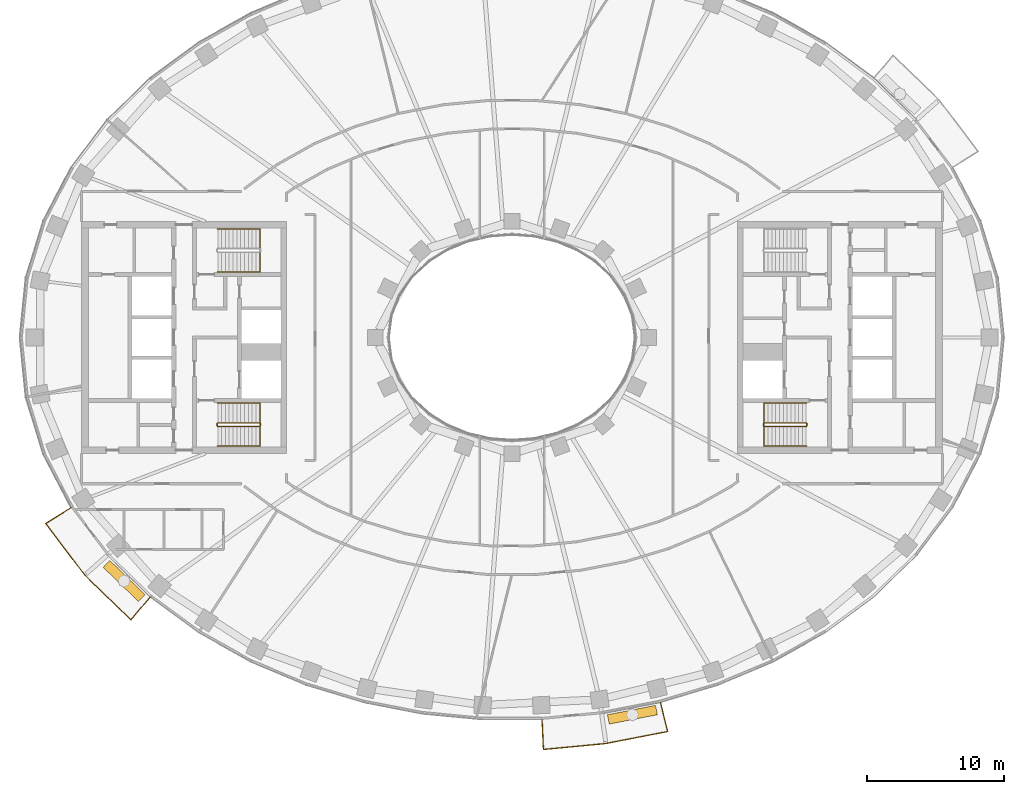
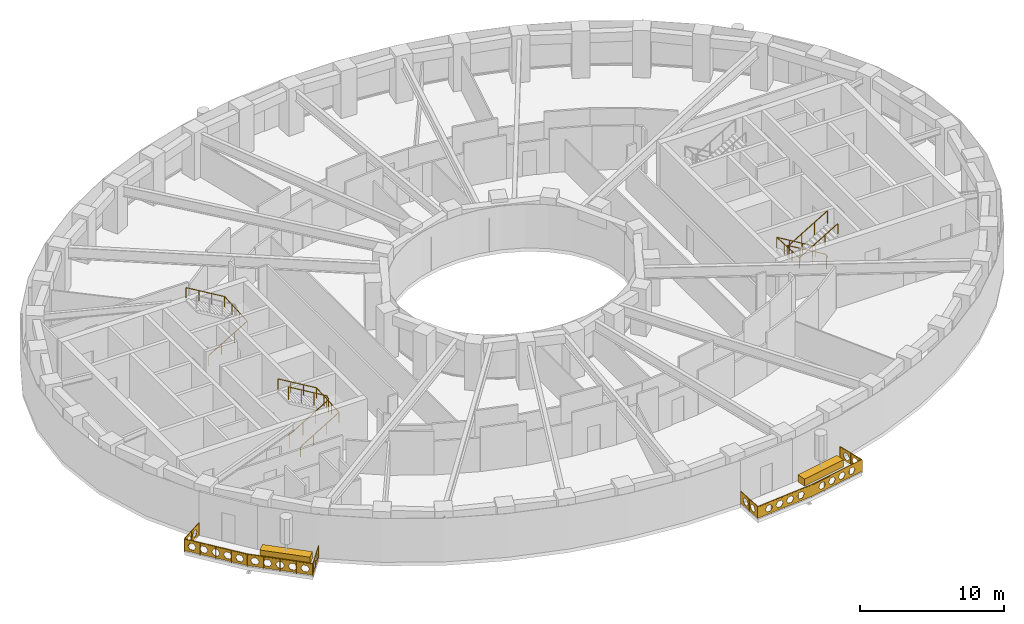
# One storey, part 14 of 16: 7 railings, 2 coverings.
"""IFC4 building model written with IfcOpenShell, lengths in metres."""

from ifc_helpers import new_model, si_unit, direction, frame, origin, origin_2d, place, context, subcontext, project, spatial, polyline, rectangle, outline, extrude, material, type_object, element, save


model = new_model("IFC4")

# Units and contexts
model_context = context("Model", 3, precision=1e-05, world=origin(), true_north=direction((0.0, 1.0)))
body_context = subcontext(model_context, "Body", "Model", "MODEL_VIEW")
ifc_project = project(units=[si_unit("LENGTHUNIT", "METRE"), si_unit("AREAUNIT", "SQUARE_METRE"), si_unit("VOLUMEUNIT", "CUBIC_METRE"), si_unit("PLANEANGLEUNIT", "RADIAN"), si_unit("MASSUNIT", "GRAM", prefix="KILO")], contexts=[model_context])

# Site, building, storey
site_placement = place(None, origin())
site = spatial("IfcSite", under=ifc_project, at=site_placement, CompositionType="ELEMENT")
building_placement = place(site_placement, origin())
building = spatial("IfcBuilding", under=site, at=building_placement, Name="Noorbagh Ring Tower", CompositionType="ELEMENT")
storey_placement = place(building_placement, frame((0.0, 0.0, 132.0)))
storey = spatial("IfcBuildingStorey", under=building, at=storey_placement, Name="L30", CompositionType="ELEMENT", Elevation=132.0)

# Railings
ifc_material_1 = material(Name="Stainless steel", Category="steel")
railing_type_1 = type_object("IfcRailingType", Name="CORE-STAIR-GUARD", PredefinedType="GUARDRAIL", material=ifc_material_1)
railing_1_placement = place(storey_placement, frame((-21.580078125, -6.449951171875, 0.0)))
element("IfcRailing", 1, at=railing_1_placement, inside=storey, type_object=railing_type_1, Name="L30 ST2 stair guard", PredefinedType="GUARDRAIL", context=body_context, shape_type="SweptSolid", body=[
    extrude(rectangle(XDim=0.048095703125, YDim=0.048095703125, at=origin_2d()), frame((0.0, 0.0, 1.076171875), z_axis=(0.0, 1.0, 0.0), x_axis=(-1.0, 0.0, 0.0)), (0.0, 0.0, 1.0), 0.14990234375),
    extrude(rectangle(XDim=0.048095703125, YDim=0.048095703125, at=origin_2d()), frame((0.0, 0.14990234375, 1.076171875), z_axis=(0.188775798145, -0.754182335027, 0.628945707965), x_axis=(0.970072785993, 0.242814311512, 0.0)), (0.0, 0.0, 1.0), 0.26513671875),
    extrude(rectangle(XDim=0.048095703125, YDim=0.048095703125, at=origin_2d()), frame((0.050048828125, -0.050048828125, 1.24267578125), z_axis=(0.859308565015, 0.0, 0.511457515432), x_axis=(0.0, 1.0, 0.0)), (0.0, 0.0, 1.0), 3.58447265625),
    extrude(rectangle(XDim=0.048095703125, YDim=0.048095703125, at=origin_2d()), frame((3.130126953125, -0.050048828125, 3.076171875), z_axis=(0.707106781187, 0.707106781187, 0.0), x_axis=(-0.707106781187, 0.707106781187, 0.0)), (0.0, 0.0, 1.0), 0.07080078125),
    extrude(rectangle(XDim=0.048095703125, YDim=0.048095703125, at=origin_2d()), frame((3.18017578125, 0.0, 3.076171875), z_axis=(0.0, 1.0, 0.0), x_axis=(-1.0, 0.0, 0.0)), (0.0, 0.0, 1.0), 0.14990234375),
    extrude(rectangle(XDim=0.048095703125, YDim=0.048095703125, at=origin_2d()), frame((3.18017578125, 0.14990234375, 3.076171875), z_axis=(-0.27628659633, 0.27628659633, 0.920506074601), x_axis=(-0.707106781187, -0.707106781187, 0.0)), (0.0, 0.0, 1.0), 0.18115234375),
    extrude(rectangle(XDim=0.048095703125, YDim=0.048095703125, at=origin_2d()), frame((3.130126953125, 0.199951171875, 3.24267578125), z_axis=(-0.859308565015, 0.0, 0.511457515432), x_axis=(0.0, -1.0, 0.0)), (0.0, 0.0, 1.0), 3.58447265625),
    extrude(rectangle(XDim=0.0419921875, YDim=0.0419921875, at=origin_2d()), origin(), (0.0, 0.0, 1.0), 1.052001953125),
    extrude(rectangle(XDim=0.0419921875, YDim=0.0419921875, at=origin_2d()), frame((1.07666015625, -0.050048828125, 0.77783203125)), (0.0, 0.0, 1.0), 1.052001953125),
    extrude(rectangle(XDim=0.0419921875, YDim=0.0419921875, at=origin_2d()), frame((2.103515625, -0.050048828125, 1.388916015625)), (0.0, 0.0, 1.0), 1.052001953125),
    extrude(rectangle(XDim=0.0419921875, YDim=0.0419921875, at=origin_2d()), frame((3.130126953125, -0.050048828125, 2.0)), (0.0, 0.0, 1.0), 1.052001953125),
    extrude(rectangle(XDim=0.0419921875, YDim=0.0419921875, at=origin_2d()), frame((3.130126953125, 0.199951171875, 2.166748046875)), (0.0, 0.0, 1.0), 1.052001953125),
    extrude(rectangle(XDim=0.0419921875, YDim=0.0419921875, at=origin_2d()), frame((2.103515625, 0.199951171875, 2.77783203125)), (0.0, 0.0, 1.0), 1.052001953125),
    extrude(rectangle(XDim=0.0419921875, YDim=0.0419921875, at=origin_2d()), frame((1.07666015625, 0.199951171875, 3.388916015625)), (0.0, 0.0, 1.0), 1.052001953125),
    extrude(rectangle(XDim=0.0419921875, YDim=0.0419921875, at=origin_2d()), frame((0.050048828125, 0.199951171875, 4.0)), (0.0, 0.0, 1.0), 1.052001953125),
])
railing_2_placement = place(storey_placement, frame((21.580078125, -6.300048828125, 0.0)))
element("IfcRailing", 2, at=railing_2_placement, inside=storey, type_object=railing_type_1, Name="L30 ST4 stair guard", PredefinedType="GUARDRAIL", context=body_context, shape_type="SweptSolid", body=[
    extrude(rectangle(XDim=0.048095703125, YDim=0.048095703125, at=origin_2d()), frame((0.0, 0.0, 1.076171875), z_axis=(0.0, -1.0, 0.0), x_axis=(1.0, 0.0, 0.0)), (0.0, 0.0, 1.0), 0.14990234375),
    extrude(rectangle(XDim=0.048095703125, YDim=0.048095703125, at=origin_2d()), frame((0.0, -0.14990234375, 1.076171875), z_axis=(-0.188775798145, 0.754182335027, 0.628945707965), x_axis=(-0.970072785993, -0.242814311512, 0.0)), (0.0, 0.0, 1.0), 0.26513671875),
    extrude(rectangle(XDim=0.048095703125, YDim=0.048095703125, at=origin_2d()), frame((-0.050048828125, 0.050048828125, 1.24267578125), z_axis=(-0.859308565015, 0.0, 0.511457515432), x_axis=(0.0, -1.0, 0.0)), (0.0, 0.0, 1.0), 3.58447265625),
    extrude(rectangle(XDim=0.048095703125, YDim=0.048095703125, at=origin_2d()), frame((-3.130126953125, 0.050048828125, 3.076171875), z_axis=(-0.707106781187, -0.707106781187, 0.0), x_axis=(0.707106781187, -0.707106781187, 0.0)), (0.0, 0.0, 1.0), 0.07080078125),
    extrude(rectangle(XDim=0.048095703125, YDim=0.048095703125, at=origin_2d()), frame((-3.18017578125, 0.0, 3.076171875), z_axis=(0.0, -1.0, 0.0), x_axis=(1.0, 0.0, 0.0)), (0.0, 0.0, 1.0), 0.14990234375),
    extrude(rectangle(XDim=0.048095703125, YDim=0.048095703125, at=origin_2d()), frame((-3.18017578125, -0.14990234375, 3.076171875), z_axis=(0.27628659633, -0.27628659633, 0.920506074601), x_axis=(0.707106781187, 0.707106781187, 0.0)), (0.0, 0.0, 1.0), 0.18115234375),
    extrude(rectangle(XDim=0.048095703125, YDim=0.048095703125, at=origin_2d()), frame((-3.130126953125, -0.199951171875, 3.24267578125), z_axis=(0.859308565015, 0.0, 0.511457515432), x_axis=(0.0, 1.0, 0.0)), (0.0, 0.0, 1.0), 3.58447265625),
    extrude(rectangle(XDim=0.0419921875, YDim=0.0419921875, at=origin_2d()), origin(), (0.0, 0.0, 1.0), 1.052001953125),
    extrude(rectangle(XDim=0.0419921875, YDim=0.0419921875, at=origin_2d()), frame((-1.07666015625, 0.050048828125, 0.77783203125)), (0.0, 0.0, 1.0), 1.052001953125),
    extrude(rectangle(XDim=0.0419921875, YDim=0.0419921875, at=origin_2d()), frame((-2.103515625, 0.050048828125, 1.388916015625)), (0.0, 0.0, 1.0), 1.052001953125),
    extrude(rectangle(XDim=0.0419921875, YDim=0.0419921875, at=origin_2d()), frame((-3.130126953125, 0.050048828125, 2.0)), (0.0, 0.0, 1.0), 1.052001953125),
    extrude(rectangle(XDim=0.0419921875, YDim=0.0419921875, at=origin_2d()), frame((-3.130126953125, -0.199951171875, 2.166748046875)), (0.0, 0.0, 1.0), 1.052001953125),
    extrude(rectangle(XDim=0.0419921875, YDim=0.0419921875, at=origin_2d()), frame((-2.103515625, -0.199951171875, 2.77783203125)), (0.0, 0.0, 1.0), 1.052001953125),
    extrude(rectangle(XDim=0.0419921875, YDim=0.0419921875, at=origin_2d()), frame((-1.07666015625, -0.199951171875, 3.388916015625)), (0.0, 0.0, 1.0), 1.052001953125),
    extrude(rectangle(XDim=0.0419921875, YDim=0.0419921875, at=origin_2d()), frame((-0.050048828125, -0.199951171875, 4.0)), (0.0, 0.0, 1.0), 1.052001953125),
])
ifc_material_2 = material(Name="Stainless steel", Category="steel")
railing_type_2 = type_object("IfcRailingType", Name="CORE-STAIR-HANDRAIL", PredefinedType="HANDRAIL", material=ifc_material_2)
railing_3_placement = place(storey_placement, frame((-21.530029296875, 4.800048828125, 0.166748046875)))
element("IfcRailing", 3, at=railing_3_placement, inside=storey, type_object=railing_type_2, Name="L30 ST1 stair handrail", PredefinedType="HANDRAIL", context=body_context, shape_type="SweptSolid", body=[
    extrude(rectangle(XDim=0.048095703125, YDim=0.048095703125, at=origin_2d()), frame((0.0, 0.0, 0.8759765625), z_axis=(0.859308565015, 0.0, 0.511457515432), x_axis=(0.0, 1.0, 0.0)), (0.0, 0.0, 1.0), 3.58447265625),
    extrude(rectangle(XDim=0.048095703125, YDim=0.048095703125, at=origin_2d()), frame((3.080078125, 0.0, 2.708984375), z_axis=(0.0, 0.998601747152, 0.052863509014), x_axis=(-1.0, 0.0, 0.0)), (0.0, 0.0, 1.0), 3.154296875),
    extrude(rectangle(XDim=0.048095703125, YDim=0.048095703125, at=origin_2d()), frame((3.080078125, 3.14990234375, 2.8759765625), z_axis=(-0.859308565015, 0.0, 0.511457515432), x_axis=(0.0, -1.0, 0.0)), (0.0, 0.0, 1.0), 3.58447265625),
    extrude(rectangle(XDim=0.0419921875, YDim=0.0419921875, at=origin_2d()), origin(), (0.0, 0.0, 1.0), 0.851806640625),
    extrude(rectangle(XDim=0.0419921875, YDim=0.0419921875, at=origin_2d()), frame((1.026611328125, 0.0, 0.611083984375)), (0.0, 0.0, 1.0), 0.851806640625),
    extrude(rectangle(XDim=0.0419921875, YDim=0.0419921875, at=origin_2d()), frame((2.053466796875, 0.0, 1.22216796875)), (0.0, 0.0, 1.0), 0.851806640625),
    extrude(rectangle(XDim=0.0419921875, YDim=0.0419921875, at=origin_2d()), frame((3.080078125, 0.0, 1.833251953125)), (0.0, 0.0, 1.0), 0.851806640625),
    extrude(rectangle(XDim=0.0419921875, YDim=0.0419921875, at=origin_2d()), frame((3.080078125, 1.050048828125, 1.888916015625)), (0.0, 0.0, 1.0), 0.851806640625),
    extrude(rectangle(XDim=0.0419921875, YDim=0.0419921875, at=origin_2d()), frame((3.080078125, 2.099853515625, 1.9443359375)), (0.0, 0.0, 1.0), 0.851806640625),
    extrude(rectangle(XDim=0.0419921875, YDim=0.0419921875, at=origin_2d()), frame((3.080078125, 3.14990234375, 2.0)), (0.0, 0.0, 1.0), 0.851806640625),
    extrude(rectangle(XDim=0.0419921875, YDim=0.0419921875, at=origin_2d()), frame((2.053466796875, 3.14990234375, 2.611083984375)), (0.0, 0.0, 1.0), 0.851806640625),
    extrude(rectangle(XDim=0.0419921875, YDim=0.0419921875, at=origin_2d()), frame((1.026611328125, 3.14990234375, 3.22216796875)), (0.0, 0.0, 1.0), 0.851806640625),
    extrude(rectangle(XDim=0.0419921875, YDim=0.0419921875, at=origin_2d()), frame((0.0, 3.14990234375, 3.833251953125)), (0.0, 0.0, 1.0), 0.851806640625),
])
railing_4_placement = place(storey_placement, frame((-21.530029296875, -7.949951171875, 0.166748046875)))
element("IfcRailing", 4, at=railing_4_placement, inside=storey, type_object=railing_type_2, Name="L30 ST2 stair handrail", PredefinedType="HANDRAIL", context=body_context, shape_type="SweptSolid", body=[
    extrude(rectangle(XDim=0.048095703125, YDim=0.048095703125, at=origin_2d()), frame((0.0, 0.0, 0.8759765625), z_axis=(0.859308565015, 0.0, 0.511457515432), x_axis=(0.0, 1.0, 0.0)), (0.0, 0.0, 1.0), 3.58447265625),
    extrude(rectangle(XDim=0.048095703125, YDim=0.048095703125, at=origin_2d()), frame((3.080078125, 0.0, 2.708984375), z_axis=(0.0, 0.998601747152, 0.052863509014), x_axis=(-1.0, 0.0, 0.0)), (0.0, 0.0, 1.0), 3.154296875),
    extrude(rectangle(XDim=0.048095703125, YDim=0.048095703125, at=origin_2d()), frame((3.080078125, 3.14990234375, 2.8759765625), z_axis=(-0.859308565015, 0.0, 0.511457515432), x_axis=(0.0, -1.0, 0.0)), (0.0, 0.0, 1.0), 3.58447265625),
    extrude(rectangle(XDim=0.0419921875, YDim=0.0419921875, at=origin_2d()), origin(), (0.0, 0.0, 1.0), 0.851806640625),
    extrude(rectangle(XDim=0.0419921875, YDim=0.0419921875, at=origin_2d()), frame((1.026611328125, 0.0, 0.611083984375)), (0.0, 0.0, 1.0), 0.851806640625),
    extrude(rectangle(XDim=0.0419921875, YDim=0.0419921875, at=origin_2d()), frame((2.053466796875, 0.0, 1.22216796875)), (0.0, 0.0, 1.0), 0.851806640625),
    extrude(rectangle(XDim=0.0419921875, YDim=0.0419921875, at=origin_2d()), frame((3.080078125, 0.0, 1.833251953125)), (0.0, 0.0, 1.0), 0.851806640625),
    extrude(rectangle(XDim=0.0419921875, YDim=0.0419921875, at=origin_2d()), frame((3.080078125, 1.050048828125, 1.888916015625)), (0.0, 0.0, 1.0), 0.851806640625),
    extrude(rectangle(XDim=0.0419921875, YDim=0.0419921875, at=origin_2d()), frame((3.080078125, 2.099853515625, 1.9443359375)), (0.0, 0.0, 1.0), 0.851806640625),
    extrude(rectangle(XDim=0.0419921875, YDim=0.0419921875, at=origin_2d()), frame((3.080078125, 3.14990234375, 2.0)), (0.0, 0.0, 1.0), 0.851806640625),
    extrude(rectangle(XDim=0.0419921875, YDim=0.0419921875, at=origin_2d()), frame((2.053466796875, 3.14990234375, 2.611083984375)), (0.0, 0.0, 1.0), 0.851806640625),
    extrude(rectangle(XDim=0.0419921875, YDim=0.0419921875, at=origin_2d()), frame((1.026611328125, 3.14990234375, 3.22216796875)), (0.0, 0.0, 1.0), 0.851806640625),
    extrude(rectangle(XDim=0.0419921875, YDim=0.0419921875, at=origin_2d()), frame((0.0, 3.14990234375, 3.833251953125)), (0.0, 0.0, 1.0), 0.851806640625),
])
railing_5_placement = place(storey_placement, frame((21.530029296875, -4.800048828125, 0.166748046875)))
element("IfcRailing", 5, at=railing_5_placement, inside=storey, type_object=railing_type_2, Name="L30 ST4 stair handrail", PredefinedType="HANDRAIL", context=body_context, shape_type="SweptSolid", body=[
    extrude(rectangle(XDim=0.048095703125, YDim=0.048095703125, at=origin_2d()), frame((0.0, 0.0, 0.8759765625), z_axis=(-0.859308565015, 0.0, 0.511457515432), x_axis=(0.0, -1.0, 0.0)), (0.0, 0.0, 1.0), 3.58447265625),
    extrude(rectangle(XDim=0.048095703125, YDim=0.048095703125, at=origin_2d()), frame((-3.080078125, 0.0, 2.708984375), z_axis=(0.0, -0.998601747152, 0.052863509014), x_axis=(1.0, 0.0, 0.0)), (0.0, 0.0, 1.0), 3.154296875),
    extrude(rectangle(XDim=0.048095703125, YDim=0.048095703125, at=origin_2d()), frame((-3.080078125, -3.14990234375, 2.8759765625), z_axis=(0.859308565015, 0.0, 0.511457515432), x_axis=(0.0, 1.0, 0.0)), (0.0, 0.0, 1.0), 3.58447265625),
    extrude(rectangle(XDim=0.0419921875, YDim=0.0419921875, at=origin_2d()), origin(), (0.0, 0.0, 1.0), 0.851806640625),
    extrude(rectangle(XDim=0.0419921875, YDim=0.0419921875, at=origin_2d()), frame((-1.026611328125, 0.0, 0.611083984375)), (0.0, 0.0, 1.0), 0.851806640625),
    extrude(rectangle(XDim=0.0419921875, YDim=0.0419921875, at=origin_2d()), frame((-2.053466796875, 0.0, 1.22216796875)), (0.0, 0.0, 1.0), 0.851806640625),
    extrude(rectangle(XDim=0.0419921875, YDim=0.0419921875, at=origin_2d()), frame((-3.080078125, 0.0, 1.833251953125)), (0.0, 0.0, 1.0), 0.851806640625),
    extrude(rectangle(XDim=0.0419921875, YDim=0.0419921875, at=origin_2d()), frame((-3.080078125, -1.050048828125, 1.888916015625)), (0.0, 0.0, 1.0), 0.851806640625),
    extrude(rectangle(XDim=0.0419921875, YDim=0.0419921875, at=origin_2d()), frame((-3.080078125, -2.099853515625, 1.9443359375)), (0.0, 0.0, 1.0), 0.851806640625),
    extrude(rectangle(XDim=0.0419921875, YDim=0.0419921875, at=origin_2d()), frame((-3.080078125, -3.14990234375, 2.0)), (0.0, 0.0, 1.0), 0.851806640625),
    extrude(rectangle(XDim=0.0419921875, YDim=0.0419921875, at=origin_2d()), frame((-2.053466796875, -3.14990234375, 2.611083984375)), (0.0, 0.0, 1.0), 0.851806640625),
    extrude(rectangle(XDim=0.0419921875, YDim=0.0419921875, at=origin_2d()), frame((-1.026611328125, -3.14990234375, 3.22216796875)), (0.0, 0.0, 1.0), 0.851806640625),
    extrude(rectangle(XDim=0.0419921875, YDim=0.0419921875, at=origin_2d()), frame((0.0, -3.14990234375, 3.833251953125)), (0.0, 0.0, 1.0), 0.851806640625),
])
ifc_material_3 = material(Name="Steel S275 black powder-coated", Category="steel")
railing_type_3 = type_object("IfcRailingType", Name="ENV-GUARD", PredefinedType="GUARDRAIL", material=ifc_material_3)
railing_6_placement = place(storey_placement, frame((-32.255126953125, -12.434814453125, 0.0)))
element("IfcRailing", 6, at=railing_6_placement, inside=storey, type_object=railing_type_3, Name="Balcony guard BS01", PredefinedType="GUARDRAIL", context=body_context, shape_type="SweptSolid", body=[
    extrude(rectangle(XDim=0.048095703125, YDim=0.048095703125, at=origin_2d()), frame((0.0, 0.0, 1.076171875), z_axis=(-0.844852397829, -0.534999463442, 0.0), x_axis=(0.534999463442, -0.844852397829, 0.0)), (0.0, 0.0, 1.0), 2.207763671875),
    extrude(rectangle(XDim=0.048095703125, YDim=0.048095703125, at=origin_2d()), frame((-1.865234375, -1.18115234375, 1.076171875), z_axis=(0.604001613322, -0.796983093362, 0.0), x_axis=(0.796983093362, 0.604001613322, 0.0)), (0.0, 0.0, 1.0), 4.7353515625),
    extrude(rectangle(XDim=0.048095703125, YDim=0.048095703125, at=origin_2d()), frame((0.994873046875, -4.955078125, 1.076171875), z_axis=(0.717212632946, -0.696854388766, 0.0), x_axis=(0.696854388766, 0.717212632946, 0.0)), (0.0, 0.0, 1.0), 4.700927734375),
    extrude(rectangle(XDim=0.048095703125, YDim=0.048095703125, at=origin_2d()), frame((4.366455078125, -8.23095703125, 1.076171875), z_axis=(0.646413574048, 0.762987215677, 0.0), x_axis=(-0.762987215677, 0.646413574048, 0.0)), (0.0, 0.0, 1.0), 2.205322265625),
    extrude(rectangle(XDim=0.0419921875, YDim=0.0419921875, at=origin_2d()), origin(), (0.0, 0.0, 1.0), 1.052001953125),
    extrude(rectangle(XDim=0.0419921875, YDim=0.0419921875, at=origin_2d()), frame((-0.9326171875, -0.590576171875, 0.0)), (0.0, 0.0, 1.0), 1.052001953125),
    extrude(rectangle(XDim=0.0419921875, YDim=0.0419921875, at=origin_2d()), frame((-1.865234375, -1.18115234375, 0.0)), (0.0, 0.0, 1.0), 1.052001953125),
    extrude(rectangle(XDim=0.0419921875, YDim=0.0419921875, at=origin_2d()), frame((-1.150146484375, -2.12451171875, 0.0)), (0.0, 0.0, 1.0), 1.052001953125),
    extrude(rectangle(XDim=0.0419921875, YDim=0.0419921875, at=origin_2d()), frame((-0.43505859375, -3.068115234375, 0.0)), (0.0, 0.0, 1.0), 1.052001953125),
    extrude(rectangle(XDim=0.0419921875, YDim=0.0419921875, at=origin_2d()), frame((0.27978515625, -4.01171875, 0.0)), (0.0, 0.0, 1.0), 1.052001953125),
    extrude(rectangle(XDim=0.0419921875, YDim=0.0419921875, at=origin_2d()), frame((0.994873046875, -4.955078125, 0.0)), (0.0, 0.0, 1.0), 1.052001953125),
    extrude(rectangle(XDim=0.0419921875, YDim=0.0419921875, at=origin_2d()), frame((1.837890625, -5.77392578125, 0.0)), (0.0, 0.0, 1.0), 1.052001953125),
    extrude(rectangle(XDim=0.0419921875, YDim=0.0419921875, at=origin_2d()), frame((2.6806640625, -6.593017578125, 0.0)), (0.0, 0.0, 1.0), 1.052001953125),
    extrude(rectangle(XDim=0.0419921875, YDim=0.0419921875, at=origin_2d()), frame((3.5234375, -7.412109375, 0.0)), (0.0, 0.0, 1.0), 1.052001953125),
    extrude(rectangle(XDim=0.0419921875, YDim=0.0419921875, at=origin_2d()), frame((4.366455078125, -8.23095703125, 0.0)), (0.0, 0.0, 1.0), 1.052001953125),
    extrude(rectangle(XDim=0.0419921875, YDim=0.0419921875, at=origin_2d()), frame((5.0791015625, -7.3896484375, 0.0)), (0.0, 0.0, 1.0), 1.052001953125),
    extrude(rectangle(XDim=0.0419921875, YDim=0.0419921875, at=origin_2d()), frame((5.7919921875, -6.54833984375, 0.0)), (0.0, 0.0, 1.0), 1.052001953125),
    extrude(outline(polyline([(0.0, 0.10009765625), (2.207763671875, 0.10009765625), (2.207763671875, 1.031982421875), (0.0, 1.031982421875), (0.0, 0.10009765625)]), holes=[polyline([(0.9638671875, 0.56591796875), (0.808837890625, 0.83447265625), (0.498779296875, 0.83447265625), (0.343994140625, 0.56591796875), (0.498779296875, 0.297607421875), (0.808837890625, 0.297607421875), (0.9638671875, 0.56591796875)]), polyline([(1.86376953125, 0.56591796875), (1.708984375, 0.83447265625), (1.39892578125, 0.83447265625), (1.243896484375, 0.56591796875), (1.39892578125, 0.297607421875), (1.708984375, 0.297607421875), (1.86376953125, 0.56591796875)])]), frame((0.00537109375, -0.008544921875, 0.0), z_axis=(-0.534999463442, 0.844852397829, 0.0), x_axis=(-0.844852397829, -0.534999463442, 0.0)), (0.0, 0.0, 1.0), 0.02001953125),
    extrude(outline(polyline([(0.0, 0.10009765625), (4.7353515625, 0.10009765625), (4.7353515625, 1.031982421875), (0.0, 1.031982421875), (0.0, 0.10009765625)]), holes=[polyline([(0.877685546875, 0.56591796875), (0.72265625, 0.83447265625), (0.41259765625, 0.83447265625), (0.257568359375, 0.56591796875), (0.41259765625, 0.297607421875), (0.72265625, 0.297607421875), (0.877685546875, 0.56591796875)]), polyline([(1.777587890625, 0.56591796875), (1.62255859375, 0.83447265625), (1.312744140625, 0.83447265625), (1.15771484375, 0.56591796875), (1.312744140625, 0.297607421875), (1.62255859375, 0.297607421875), (1.777587890625, 0.56591796875)]), polyline([(2.677734375, 0.56591796875), (2.522705078125, 0.83447265625), (2.212646484375, 0.83447265625), (2.0576171875, 0.56591796875), (2.212646484375, 0.297607421875), (2.522705078125, 0.297607421875), (2.677734375, 0.56591796875)]), polyline([(3.57763671875, 0.56591796875), (3.422607421875, 0.83447265625), (3.112548828125, 0.83447265625), (2.95751953125, 0.56591796875), (3.112548828125, 0.297607421875), (3.422607421875, 0.297607421875), (3.57763671875, 0.56591796875)]), polyline([(4.4775390625, 0.56591796875), (4.32275390625, 0.83447265625), (4.0126953125, 0.83447265625), (3.857666015625, 0.56591796875), (4.0126953125, 0.297607421875), (4.32275390625, 0.297607421875), (4.4775390625, 0.56591796875)])]), frame((-1.857177734375, -1.175048828125, 0.0), z_axis=(-0.796983093362, -0.604001613322, 0.0), x_axis=(0.604001613322, -0.796983093362, 0.0)), (0.0, 0.0, 1.0), 0.02001953125),
    extrude(outline(polyline([(0.0, 0.10009765625), (4.700927734375, 0.10009765625), (4.700927734375, 1.031982421875), (0.0, 1.031982421875), (0.0, 0.10009765625)]), holes=[polyline([(0.860595703125, 0.56591796875), (0.70556640625, 0.83447265625), (0.3955078125, 0.83447265625), (0.240478515625, 0.56591796875), (0.3955078125, 0.297607421875), (0.70556640625, 0.297607421875), (0.860595703125, 0.56591796875)]), polyline([(1.760498046875, 0.56591796875), (1.60546875, 0.83447265625), (1.29541015625, 0.83447265625), (1.140380859375, 0.56591796875), (1.29541015625, 0.297607421875), (1.60546875, 0.297607421875), (1.760498046875, 0.56591796875)]), polyline([(2.660400390625, 0.56591796875), (2.50537109375, 0.83447265625), (2.195556640625, 0.83447265625), (2.04052734375, 0.56591796875), (2.195556640625, 0.297607421875), (2.50537109375, 0.297607421875), (2.660400390625, 0.56591796875)]), polyline([(3.560546875, 0.56591796875), (3.405517578125, 0.83447265625), (3.095458984375, 0.83447265625), (2.9404296875, 0.56591796875), (3.095458984375, 0.297607421875), (3.405517578125, 0.297607421875), (3.560546875, 0.56591796875)]), polyline([(4.46044921875, 0.56591796875), (4.305419921875, 0.83447265625), (3.995361328125, 0.83447265625), (3.840576171875, 0.56591796875), (3.995361328125, 0.297607421875), (4.305419921875, 0.297607421875), (4.46044921875, 0.56591796875)])]), frame((1.001953125, -4.947998046875, 0.0), z_axis=(-0.696854388766, -0.717212632946, 0.0), x_axis=(0.717212632946, -0.696854388766, 0.0)), (0.0, 0.0, 1.0), 0.02001953125),
    extrude(outline(polyline([(0.0, 0.10009765625), (2.205322265625, 0.10009765625), (2.205322265625, 1.031982421875), (0.0, 1.031982421875), (0.0, 0.10009765625)]), holes=[polyline([(0.962646484375, 0.56591796875), (0.8076171875, 0.83447265625), (0.49755859375, 0.83447265625), (0.342529296875, 0.56591796875), (0.49755859375, 0.297607421875), (0.8076171875, 0.297607421875), (0.962646484375, 0.56591796875)]), polyline([(1.862548828125, 0.56591796875), (1.707763671875, 0.83447265625), (1.397705078125, 0.83447265625), (1.24267578125, 0.56591796875), (1.397705078125, 0.297607421875), (1.707763671875, 0.297607421875), (1.862548828125, 0.56591796875)])]), frame((4.35888671875, -8.224609375, 0.0), z_axis=(0.762987215677, -0.646413574048, 0.0), x_axis=(0.646413574048, 0.762987215677, 0.0)), (0.0, 0.0, 1.0), 0.02001953125),
])
railing_7_placement = place(storey_placement, frame((2.193115234375, -27.947998046875, 0.0)))
element("IfcRailing", 7, at=railing_7_placement, inside=storey, type_object=railing_type_3, Name="Balcony guard BS04", PredefinedType="GUARDRAIL", context=body_context, shape_type="SweptSolid", body=[
    extrude(rectangle(XDim=0.048095703125, YDim=0.048095703125, at=origin_2d()), frame((0.0, 0.0, 1.076171875), z_axis=(0.047554616162, -0.998868639252, 0.0), x_axis=(0.998868639252, 0.047554616162, 0.0)), (0.0, 0.0, 1.0), 2.202392578125),
    extrude(rectangle(XDim=0.048095703125, YDim=0.048095703125, at=origin_2d()), frame((0.104736328125, -2.199951171875, 1.076171875), z_axis=(0.995477555764, 0.094997031379, 0.0), x_axis=(-0.094997031379, 0.995477555764, 0.0)), (0.0, 0.0, 1.0), 4.59765625),
    extrude(rectangle(XDim=0.048095703125, YDim=0.048095703125, at=origin_2d()), frame((4.681640625, -1.76318359375, 1.076171875), z_axis=(0.981625049064, 0.1908199755, 0.0), x_axis=(-0.1908199755, 0.981625049064, 0.0)), (0.0, 0.0, 1.0), 4.603271484375),
    extrude(rectangle(XDim=0.048095703125, YDim=0.048095703125, at=origin_2d()), frame((9.200439453125, -0.884765625, 1.076171875), z_axis=(-0.239848558412, 0.970810315679, 0.0), x_axis=(-0.970810315679, -0.239848558412, 0.0)), (0.0, 0.0, 1.0), 2.20263671875),
    extrude(rectangle(XDim=0.0419921875, YDim=0.0419921875, at=origin_2d()), origin(), (0.0, 0.0, 1.0), 1.052001953125),
    extrude(rectangle(XDim=0.0419921875, YDim=0.0419921875, at=origin_2d()), frame((0.05224609375, -1.10009765625, 0.0)), (0.0, 0.0, 1.0), 1.052001953125),
    extrude(rectangle(XDim=0.0419921875, YDim=0.0419921875, at=origin_2d()), frame((0.104736328125, -2.199951171875, 0.0)), (0.0, 0.0, 1.0), 1.052001953125),
    extrude(rectangle(XDim=0.0419921875, YDim=0.0419921875, at=origin_2d()), frame((1.2490234375, -2.0908203125, 0.0)), (0.0, 0.0, 1.0), 1.052001953125),
    extrude(rectangle(XDim=0.0419921875, YDim=0.0419921875, at=origin_2d()), frame((2.39306640625, -1.9814453125, 0.0)), (0.0, 0.0, 1.0), 1.052001953125),
    extrude(rectangle(XDim=0.0419921875, YDim=0.0419921875, at=origin_2d()), frame((3.537353515625, -1.872314453125, 0.0)), (0.0, 0.0, 1.0), 1.052001953125),
    extrude(rectangle(XDim=0.0419921875, YDim=0.0419921875, at=origin_2d()), frame((4.681640625, -1.76318359375, 0.0)), (0.0, 0.0, 1.0), 1.052001953125),
    extrude(rectangle(XDim=0.0419921875, YDim=0.0419921875, at=origin_2d()), frame((5.811279296875, -1.54345703125, 0.0)), (0.0, 0.0, 1.0), 1.052001953125),
    extrude(rectangle(XDim=0.0419921875, YDim=0.0419921875, at=origin_2d()), frame((6.94091796875, -1.323974609375, 0.0)), (0.0, 0.0, 1.0), 1.052001953125),
    extrude(rectangle(XDim=0.0419921875, YDim=0.0419921875, at=origin_2d()), frame((8.07080078125, -1.1044921875, 0.0)), (0.0, 0.0, 1.0), 1.052001953125),
    extrude(rectangle(XDim=0.0419921875, YDim=0.0419921875, at=origin_2d()), frame((9.200439453125, -0.884765625, 0.0)), (0.0, 0.0, 1.0), 1.052001953125),
    extrude(rectangle(XDim=0.0419921875, YDim=0.0419921875, at=origin_2d()), frame((8.936279296875, 0.1845703125, 0.0)), (0.0, 0.0, 1.0), 1.052001953125),
    extrude(rectangle(XDim=0.0419921875, YDim=0.0419921875, at=origin_2d()), frame((8.672119140625, 1.253662109375, 0.0)), (0.0, 0.0, 1.0), 1.052001953125),
    extrude(outline(polyline([(0.0, 0.10009765625), (2.202392578125, 0.10009765625), (2.202392578125, 1.031982421875), (0.0, 1.031982421875), (0.0, 0.10009765625)]), holes=[polyline([(0.961181640625, 0.56591796875), (0.80615234375, 0.83447265625), (0.496337890625, 0.83447265625), (0.34130859375, 0.56591796875), (0.496337890625, 0.297607421875), (0.80615234375, 0.297607421875), (0.961181640625, 0.56591796875)]), polyline([(1.861328125, 0.56591796875), (1.706298828125, 0.83447265625), (1.396240234375, 0.83447265625), (1.2412109375, 0.56591796875), (1.396240234375, 0.297607421875), (1.706298828125, 0.297607421875), (1.861328125, 0.56591796875)])]), frame((0.010009765625, 0.00048828125, 0.0), z_axis=(-0.998868639252, -0.047554616162, 0.0), x_axis=(0.047554616162, -0.998868639252, 0.0)), (0.0, 0.0, 1.0), 0.02001953125),
    extrude(outline(polyline([(0.0, 0.10009765625), (4.59765625, 0.10009765625), (4.59765625, 1.031982421875), (0.0, 1.031982421875), (0.0, 0.10009765625)]), holes=[polyline([(1.2587890625, 0.56591796875), (1.103759765625, 0.83447265625), (0.7939453125, 0.83447265625), (0.638916015625, 0.56591796875), (0.7939453125, 0.297607421875), (1.103759765625, 0.297607421875), (1.2587890625, 0.56591796875)]), polyline([(2.158935546875, 0.56591796875), (2.00390625, 0.83447265625), (1.69384765625, 0.83447265625), (1.538818359375, 0.56591796875), (1.69384765625, 0.297607421875), (2.00390625, 0.297607421875), (2.158935546875, 0.56591796875)]), polyline([(3.058837890625, 0.56591796875), (2.90380859375, 0.83447265625), (2.59375, 0.83447265625), (2.43896484375, 0.56591796875), (2.59375, 0.297607421875), (2.90380859375, 0.297607421875), (3.058837890625, 0.56591796875)]), polyline([(3.958740234375, 0.56591796875), (3.803955078125, 0.83447265625), (3.493896484375, 0.83447265625), (3.3388671875, 0.56591796875), (3.493896484375, 0.297607421875), (3.803955078125, 0.297607421875), (3.958740234375, 0.56591796875)])]), frame((0.103759765625, -2.18994140625, 0.0), z_axis=(0.094997031379, -0.995477555764, 0.0), x_axis=(0.995477555764, 0.094997031379, 0.0)), (0.0, 0.0, 1.0), 0.02001953125),
    extrude(outline(polyline([(0.0, 0.10009765625), (4.603271484375, 0.10009765625), (4.603271484375, 1.031982421875), (0.0, 1.031982421875), (0.0, 0.10009765625)]), holes=[polyline([(1.26171875, 0.56591796875), (1.106689453125, 0.83447265625), (0.796630859375, 0.83447265625), (0.6416015625, 0.56591796875), (0.796630859375, 0.297607421875), (1.106689453125, 0.297607421875), (1.26171875, 0.56591796875)]), polyline([(2.16162109375, 0.56591796875), (2.006591796875, 0.83447265625), (1.69677734375, 0.83447265625), (1.541748046875, 0.56591796875), (1.69677734375, 0.297607421875), (2.006591796875, 0.297607421875), (2.16162109375, 0.56591796875)]), polyline([(3.061767578125, 0.56591796875), (2.90673828125, 0.83447265625), (2.5966796875, 0.83447265625), (2.441650390625, 0.56591796875), (2.5966796875, 0.297607421875), (2.90673828125, 0.297607421875), (3.061767578125, 0.56591796875)]), polyline([(3.961669921875, 0.56591796875), (3.806640625, 0.83447265625), (3.49658203125, 0.83447265625), (3.341796875, 0.56591796875), (3.49658203125, 0.297607421875), (3.806640625, 0.297607421875), (3.961669921875, 0.56591796875)])]), frame((4.6796875, -1.75341796875, 0.0), z_axis=(0.1908199755, -0.981625049064, 0.0), x_axis=(0.981625049064, 0.1908199755, 0.0)), (0.0, 0.0, 1.0), 0.02001953125),
    extrude(outline(polyline([(0.0, 0.10009765625), (2.20263671875, 0.10009765625), (2.20263671875, 1.031982421875), (0.0, 1.031982421875), (0.0, 0.10009765625)]), holes=[polyline([(0.96142578125, 0.56591796875), (0.806396484375, 0.83447265625), (0.496337890625, 0.83447265625), (0.34130859375, 0.56591796875), (0.496337890625, 0.297607421875), (0.806396484375, 0.297607421875), (0.96142578125, 0.56591796875)]), polyline([(1.861328125, 0.56591796875), (1.706298828125, 0.83447265625), (1.396240234375, 0.83447265625), (1.241455078125, 0.56591796875), (1.396240234375, 0.297607421875), (1.706298828125, 0.297607421875), (1.861328125, 0.56591796875)])]), frame((9.190673828125, -0.88720703125, 0.0), z_axis=(0.970810315679, 0.239848558412, 0.0), x_axis=(-0.239848558412, 0.970810315679, 0.0)), (0.0, 0.0, 1.0), 0.02001953125),
])

# Coverings
ifc_material_4 = material(Name="Concrete C30/37 planter with soil", Category="concrete")
covering_type = type_object("IfcCoveringType", Name="ENV-PLANTER", PredefinedType="CLADDING", material=ifc_material_4)
covering_1_placement = place(storey_placement, frame((-28.3837890625, -17.814208984375, 0.0), z_axis=(0.0, 0.0, 1.0), x_axis=(0.717224548362, -0.696842125038, 0.0)))
element("IfcCovering", 8, at=covering_1_placement, inside=storey, type_object=covering_type, Name="PLANTER BS01", ObjectType="PLANTER", PredefinedType="CLADDING", context=body_context, shape_type="SweptSolid", body=[
    extrude(rectangle(XDim=3.584228515625, YDim=0.699951171875, at=origin_2d()), origin(), (0.0, 0.0, 1.0), 0.60009765625),
])
covering_2_placement = place(storey_placement, frame((8.807861328125, -27.603515625, 0.0), z_axis=(0.0, 0.0, 1.0), x_axis=(0.981624952922, 0.190820470077, 0.0)))
element("IfcCovering", 9, at=covering_2_placement, inside=storey, type_object=covering_type, Name="PLANTER BS04", ObjectType="PLANTER", PredefinedType="CLADDING", context=body_context, shape_type="SweptSolid", body=[
    extrude(rectangle(XDim=3.586181640625, YDim=0.699951171875, at=origin_2d()), origin(), (0.0, 0.0, 1.0), 0.60009765625),
])

save(model, "model.ifc")
